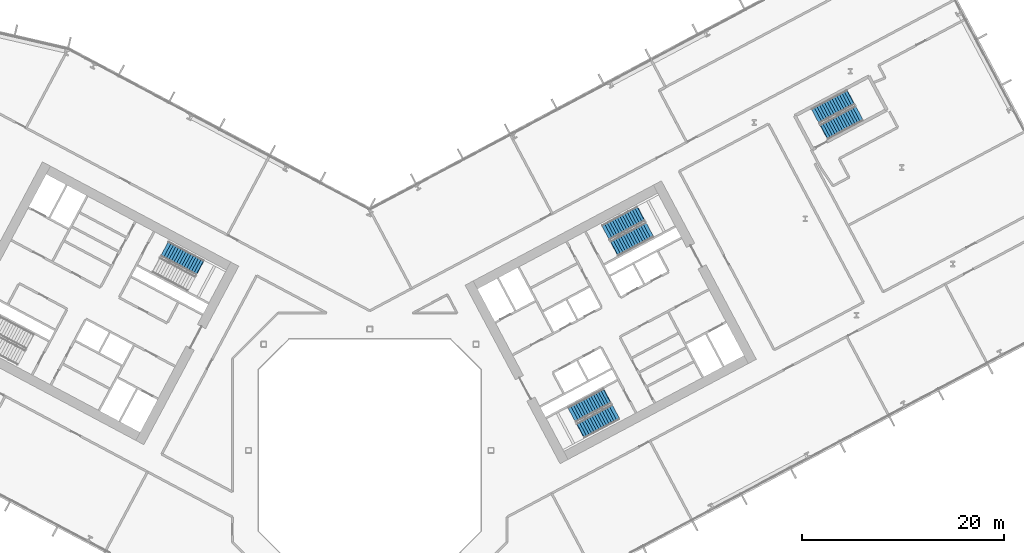
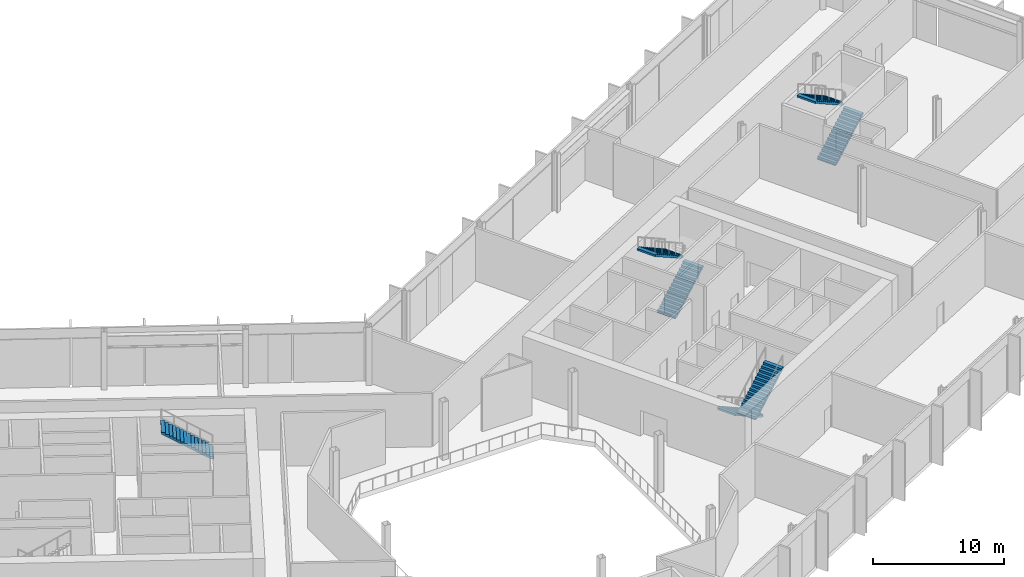
# One storey, part 19 of 32: 7 stair flights, 4 elements without a shape of their own.
"""IFC4 building model written with IfcOpenShell, lengths in metres."""

from ifc_helpers import new_model, si_unit, direction, frame, origin, place, context, subcontext, project, spatial, polyline, outline, extrude, material, type_object, element, aggregate, save


model = new_model("IFC4")

# Units and contexts
model_context = context("Model", 3, precision=1e-05, world=origin(), true_north=direction((0.0, 1.0)))
body_context = subcontext(model_context, "Body", "Model", "MODEL_VIEW")
ifc_project = project(units=[si_unit("LENGTHUNIT", "METRE"), si_unit("AREAUNIT", "SQUARE_METRE"), si_unit("VOLUMEUNIT", "CUBIC_METRE"), si_unit("PLANEANGLEUNIT", "RADIAN"), si_unit("MASSUNIT", "GRAM", prefix="KILO")], contexts=[model_context])

# Site, building, storey
site_placement = place(None, origin())
site = spatial("IfcSite", under=ifc_project, at=site_placement, CompositionType="ELEMENT")
building_placement = place(site_placement, origin())
building = spatial("IfcBuilding", under=site, at=building_placement, Name="Cormorant Relay Tower", CompositionType="ELEMENT")
storey_placement = place(building_placement, frame((0.0, 0.0, 39.199951171875)))
storey = spatial("IfcBuildingStorey", under=building, at=storey_placement, Name="L07", CompositionType="ELEMENT", Elevation=39.199951171875)

# Stair, stair flight
ifc_material_1 = material(Name="Concrete 40 MPa", Category="concrete")
stair_type = type_object("IfcStairType", Name="Exit stair 1500", PredefinedType="HALF_TURN_STAIR", material=ifc_material_1)
stair_1_placement = place(storey_placement, origin())
stair_1 = element("IfcStair", 1, at=stair_1_placement, inside=storey, type_object=stair_type, Name="L07 Stair", PredefinedType="HALF_TURN_STAIR")
ifc_material_2 = material(Name="Concrete 40 MPa", Category="concrete")
stair_flight_type = type_object("IfcStairFlightType", Name="Exit stair flight 1650", PredefinedType="STRAIGHT", material=ifc_material_2)
stair_flight_1_placement = place(storey_placement, frame((-16.80810546875, 18.08251953125, 2.699951171875), z_axis=(0.0, 0.0, 1.0), x_axis=(-0.882947592859, 0.469471562786, 0.0)))
stair_flight_1 = element("IfcStairFlight", 2, at=stair_flight_1_placement, type_object=stair_flight_type, Name="A1 flight 2", NumberOfRisers=15, NumberOfTreads=14, PredefinedType="STRAIGHT", RiserHeight=0.18, TreadLength=0.28, context=body_context, shape_type="SweptSolid", body=[
    extrude(outline(polyline([(-0.050048828125, -0.080078125), (-0.050048828125, 0.0), (0.0, 0.0), (0.0, 0.179931640625), (0.280029296875, 0.179931640625), (0.280029296875, 0.360107421875), (0.56005859375, 0.360107421875), (0.56005859375, 0.5400390625), (0.840087890625, 0.5400390625), (0.840087890625, 0.719970703125), (1.1201171875, 0.719970703125), (1.1201171875, 0.89990234375), (1.39990234375, 0.89990234375), (1.39990234375, 1.080078125), (1.679931640625, 1.080078125), (1.679931640625, 1.260009765625), (1.9599609375, 1.260009765625), (1.9599609375, 1.43994140625), (2.239990234375, 1.43994140625), (2.239990234375, 1.6201171875), (2.52001953125, 1.6201171875), (2.52001953125, 1.800048828125), (2.800048828125, 1.800048828125), (2.800048828125, 1.97998046875), (3.080078125, 1.97998046875), (3.080078125, 2.159912109375), (3.360107421875, 2.159912109375), (3.360107421875, 2.340087890625), (3.639892578125, 2.340087890625), (3.639892578125, 2.52001953125), (3.919921875, 2.52001953125), (3.969970703125, 2.52001953125), (3.969970703125, 2.341796875), (3.919921875, 2.341796875), (0.277099609375, 0.0), (-0.050048828125, -0.080078125)])), frame((0.0, 0.824951171875, 0.0), z_axis=(0.0, -1.0, 0.0), x_axis=(1.0, 0.0, 0.0)), (0.0, 0.0, 1.0), 1.64990234375),
])
aggregate(stair_1, [stair_flight_1])

# Stair, stair flights
stair_2_placement = place(storey_placement, origin())
stair_2 = element("IfcStair", 3, at=stair_2_placement, inside=storey, type_object=stair_type, Name="L07 Stair", PredefinedType="HALF_TURN_STAIR")
stair_flight_2_placement = place(storey_placement, frame((23.474365234375, 5.374755859375, 0.0), z_axis=(0.0, 0.0, 1.0), x_axis=(-0.882947592859, -0.469471562786, 0.0)))
stair_flight_2 = element("IfcStairFlight", 4, at=stair_flight_2_placement, type_object=stair_flight_type, Name="B1 flight 1", NumberOfRisers=15, NumberOfTreads=14, PredefinedType="STRAIGHT", RiserHeight=0.18, TreadLength=0.28, context=body_context, shape_type="SweptSolid", body=[
    extrude(outline(polyline([(-0.050048828125, -0.080078125), (-0.050048828125, 0.0), (0.0, 0.0), (0.0, 0.179931640625), (0.280029296875, 0.179931640625), (0.280029296875, 0.360107421875), (0.56005859375, 0.360107421875), (0.56005859375, 0.5400390625), (0.840087890625, 0.5400390625), (0.840087890625, 0.719970703125), (1.1201171875, 0.719970703125), (1.1201171875, 0.89990234375), (1.39990234375, 0.89990234375), (1.39990234375, 1.080078125), (1.679931640625, 1.080078125), (1.679931640625, 1.260009765625), (1.9599609375, 1.260009765625), (1.9599609375, 1.43994140625), (2.239990234375, 1.43994140625), (2.239990234375, 1.6201171875), (2.52001953125, 1.6201171875), (2.52001953125, 1.800048828125), (2.800048828125, 1.800048828125), (2.800048828125, 1.97998046875), (3.080078125, 1.97998046875), (3.080078125, 2.159912109375), (3.360107421875, 2.159912109375), (3.360107421875, 2.340087890625), (3.639892578125, 2.340087890625), (3.639892578125, 2.52001953125), (3.919921875, 2.52001953125), (3.969970703125, 2.52001953125), (3.969970703125, 2.341796875), (3.919921875, 2.341796875), (0.277099609375, 0.0), (-0.050048828125, -0.080078125)])), frame((0.0, 0.824951171875, 0.0), z_axis=(0.0, -1.0, 0.0), x_axis=(1.0, 0.0, 0.0)), (0.0, 0.0, 1.0), 1.64990234375),
])
stair_flight_3_placement = place(storey_placement, frame((20.8583984375, 1.945068359375, 2.699951171875), z_axis=(0.0, 0.0, 1.0), x_axis=(0.882947592859, 0.469471562786, 0.0)))
stair_flight_3 = element("IfcStairFlight", 5, at=stair_flight_3_placement, type_object=stair_flight_type, Name="B1 flight 2", NumberOfRisers=15, NumberOfTreads=14, PredefinedType="STRAIGHT", RiserHeight=0.18, TreadLength=0.28, context=body_context, shape_type="SweptSolid", body=[
    extrude(outline(polyline([(-0.050048828125, -0.080078125), (-0.050048828125, 0.0), (0.0, 0.0), (0.0, 0.179931640625), (0.280029296875, 0.179931640625), (0.280029296875, 0.360107421875), (0.56005859375, 0.360107421875), (0.56005859375, 0.5400390625), (0.840087890625, 0.5400390625), (0.840087890625, 0.719970703125), (1.1201171875, 0.719970703125), (1.1201171875, 0.89990234375), (1.39990234375, 0.89990234375), (1.39990234375, 1.080078125), (1.679931640625, 1.080078125), (1.679931640625, 1.260009765625), (1.9599609375, 1.260009765625), (1.9599609375, 1.43994140625), (2.239990234375, 1.43994140625), (2.239990234375, 1.6201171875), (2.52001953125, 1.6201171875), (2.52001953125, 1.800048828125), (2.800048828125, 1.800048828125), (2.800048828125, 1.97998046875), (3.080078125, 1.97998046875), (3.080078125, 2.159912109375), (3.360107421875, 2.159912109375), (3.360107421875, 2.340087890625), (3.639892578125, 2.340087890625), (3.639892578125, 2.52001953125), (3.919921875, 2.52001953125), (3.969970703125, 2.52001953125), (3.969970703125, 2.341796875), (3.919921875, 2.341796875), (0.277099609375, 0.0), (-0.050048828125, -0.080078125)])), frame((0.0, 0.824951171875, 0.0), z_axis=(0.0, -1.0, 0.0), x_axis=(1.0, 0.0, 0.0)), (0.0, 0.0, 1.0), 1.64990234375),
])
aggregate(stair_2, [stair_flight_2, stair_flight_3])

stair_3_placement = place(storey_placement, origin())
stair_3 = element("IfcStair", 6, at=stair_3_placement, inside=storey, type_object=stair_type, Name="L07 Stair", PredefinedType="HALF_TURN_STAIR")
stair_flight_4_placement = place(storey_placement, frame((24.20458984375, 19.976806640625, 0.0), z_axis=(0.0, 0.0, 1.0), x_axis=(0.882947592859, 0.469471562786, 0.0)))
stair_flight_4 = element("IfcStairFlight", 7, at=stair_flight_4_placement, type_object=stair_flight_type, Name="B2 flight 1", NumberOfRisers=15, NumberOfTreads=14, PredefinedType="STRAIGHT", RiserHeight=0.18, TreadLength=0.28, context=body_context, shape_type="SweptSolid", body=[
    extrude(outline(polyline([(-0.050048828125, -0.080078125), (-0.050048828125, 0.0), (0.0, 0.0), (0.0, 0.179931640625), (0.280029296875, 0.179931640625), (0.280029296875, 0.360107421875), (0.56005859375, 0.360107421875), (0.56005859375, 0.5400390625), (0.840087890625, 0.5400390625), (0.840087890625, 0.719970703125), (1.1201171875, 0.719970703125), (1.1201171875, 0.89990234375), (1.39990234375, 0.89990234375), (1.39990234375, 1.080078125), (1.679931640625, 1.080078125), (1.679931640625, 1.260009765625), (1.9599609375, 1.260009765625), (1.9599609375, 1.43994140625), (2.239990234375, 1.43994140625), (2.239990234375, 1.6201171875), (2.52001953125, 1.6201171875), (2.52001953125, 1.800048828125), (2.800048828125, 1.800048828125), (2.800048828125, 1.97998046875), (3.080078125, 1.97998046875), (3.080078125, 2.159912109375), (3.360107421875, 2.159912109375), (3.360107421875, 2.340087890625), (3.639892578125, 2.340087890625), (3.639892578125, 2.52001953125), (3.919921875, 2.52001953125), (3.969970703125, 2.52001953125), (3.969970703125, 2.341796875), (3.919921875, 2.341796875), (0.277099609375, 0.0), (-0.050048828125, -0.080078125)])), frame((0.0, 0.824951171875, 0.0), z_axis=(0.0, -1.0, 0.0), x_axis=(1.0, 0.0, 0.0)), (0.0, 0.0, 1.0), 1.64990234375),
])
stair_flight_5_placement = place(storey_placement, frame((26.82080078125, 23.406494140625, 2.699951171875), z_axis=(0.0, 0.0, 1.0), x_axis=(-0.882947592859, -0.469471562786, 0.0)))
stair_flight_5 = element("IfcStairFlight", 8, at=stair_flight_5_placement, type_object=stair_flight_type, Name="B2 flight 2", NumberOfRisers=15, NumberOfTreads=14, PredefinedType="STRAIGHT", RiserHeight=0.18, TreadLength=0.28, context=body_context, shape_type="SweptSolid", body=[
    extrude(outline(polyline([(-0.050048828125, -0.080078125), (-0.050048828125, 0.0), (0.0, 0.0), (0.0, 0.179931640625), (0.280029296875, 0.179931640625), (0.280029296875, 0.360107421875), (0.56005859375, 0.360107421875), (0.56005859375, 0.5400390625), (0.840087890625, 0.5400390625), (0.840087890625, 0.719970703125), (1.1201171875, 0.719970703125), (1.1201171875, 0.89990234375), (1.39990234375, 0.89990234375), (1.39990234375, 1.080078125), (1.679931640625, 1.080078125), (1.679931640625, 1.260009765625), (1.9599609375, 1.260009765625), (1.9599609375, 1.43994140625), (2.239990234375, 1.43994140625), (2.239990234375, 1.6201171875), (2.52001953125, 1.6201171875), (2.52001953125, 1.800048828125), (2.800048828125, 1.800048828125), (2.800048828125, 1.97998046875), (3.080078125, 1.97998046875), (3.080078125, 2.159912109375), (3.360107421875, 2.159912109375), (3.360107421875, 2.340087890625), (3.639892578125, 2.340087890625), (3.639892578125, 2.52001953125), (3.919921875, 2.52001953125), (3.969970703125, 2.52001953125), (3.969970703125, 2.341796875), (3.919921875, 2.341796875), (0.277099609375, 0.0), (-0.050048828125, -0.080078125)])), frame((0.0, 0.824951171875, 0.0), z_axis=(0.0, -1.0, 0.0), x_axis=(1.0, 0.0, 0.0)), (0.0, 0.0, 1.0), 1.64990234375),
])
aggregate(stair_3, [stair_flight_4, stair_flight_5])

stair_4_placement = place(storey_placement, origin())
stair_4 = element("IfcStair", 9, at=stair_4_placement, inside=storey, type_object=stair_type, Name="L07 Stair", PredefinedType="HALF_TURN_STAIR")
stair_flight_6_placement = place(storey_placement, frame((44.947509765625, 31.502197265625, 0.0), z_axis=(0.0, 0.0, 1.0), x_axis=(0.882947502727, 0.4694717323, 0.0)))
stair_flight_6 = element("IfcStairFlight", 10, at=stair_flight_6_placement, type_object=stair_flight_type, Name="RB1 flight 1", NumberOfRisers=15, NumberOfTreads=14, PredefinedType="STRAIGHT", RiserHeight=0.18, TreadLength=0.28, context=body_context, shape_type="SweptSolid", body=[
    extrude(outline(polyline([(-0.050048828125, -0.080078125), (-0.050048828125, 0.0), (0.0, 0.0), (0.0, 0.179931640625), (0.280029296875, 0.179931640625), (0.280029296875, 0.360107421875), (0.56005859375, 0.360107421875), (0.56005859375, 0.5400390625), (0.840087890625, 0.5400390625), (0.840087890625, 0.719970703125), (1.1201171875, 0.719970703125), (1.1201171875, 0.89990234375), (1.39990234375, 0.89990234375), (1.39990234375, 1.080078125), (1.679931640625, 1.080078125), (1.679931640625, 1.260009765625), (1.9599609375, 1.260009765625), (1.9599609375, 1.43994140625), (2.239990234375, 1.43994140625), (2.239990234375, 1.6201171875), (2.52001953125, 1.6201171875), (2.52001953125, 1.800048828125), (2.800048828125, 1.800048828125), (2.800048828125, 1.97998046875), (3.080078125, 1.97998046875), (3.080078125, 2.159912109375), (3.360107421875, 2.159912109375), (3.360107421875, 2.340087890625), (3.639892578125, 2.340087890625), (3.639892578125, 2.52001953125), (3.919921875, 2.52001953125), (3.969970703125, 2.52001953125), (3.969970703125, 2.341796875), (3.919921875, 2.341796875), (0.277099609375, 0.0), (-0.050048828125, -0.080078125)])), frame((0.0, 0.824951171875, 0.0), z_axis=(0.0, -1.0, 0.0), x_axis=(1.0, 0.0, 0.0)), (0.0, 0.0, 1.0), 1.64990234375),
])
stair_flight_7_placement = place(storey_placement, frame((47.563720703125, 34.931640625, 2.699951171875), z_axis=(0.0, 0.0, 1.0), x_axis=(-0.882947502727, -0.4694717323, 0.0)))
stair_flight_7 = element("IfcStairFlight", 11, at=stair_flight_7_placement, type_object=stair_flight_type, Name="RB1 flight 2", NumberOfRisers=15, NumberOfTreads=14, PredefinedType="STRAIGHT", RiserHeight=0.18, TreadLength=0.28, context=body_context, shape_type="SweptSolid", body=[
    extrude(outline(polyline([(-0.050048828125, -0.080078125), (-0.050048828125, 0.0), (0.0, 0.0), (0.0, 0.179931640625), (0.280029296875, 0.179931640625), (0.280029296875, 0.360107421875), (0.56005859375, 0.360107421875), (0.56005859375, 0.5400390625), (0.840087890625, 0.5400390625), (0.840087890625, 0.719970703125), (1.1201171875, 0.719970703125), (1.1201171875, 0.89990234375), (1.39990234375, 0.89990234375), (1.39990234375, 1.080078125), (1.679931640625, 1.080078125), (1.679931640625, 1.260009765625), (1.9599609375, 1.260009765625), (1.9599609375, 1.43994140625), (2.239990234375, 1.43994140625), (2.239990234375, 1.6201171875), (2.52001953125, 1.6201171875), (2.52001953125, 1.800048828125), (2.800048828125, 1.800048828125), (2.800048828125, 1.97998046875), (3.080078125, 1.97998046875), (3.080078125, 2.159912109375), (3.360107421875, 2.159912109375), (3.360107421875, 2.340087890625), (3.639892578125, 2.340087890625), (3.639892578125, 2.52001953125), (3.919921875, 2.52001953125), (3.969970703125, 2.52001953125), (3.969970703125, 2.341796875), (3.919921875, 2.341796875), (0.277099609375, 0.0), (-0.050048828125, -0.080078125)])), frame((0.0, 0.824951171875, 0.0), z_axis=(0.0, -1.0, 0.0), x_axis=(1.0, 0.0, 0.0)), (0.0, 0.0, 1.0), 1.64990234375),
])
aggregate(stair_4, [stair_flight_6, stair_flight_7])

save(model, "model.ifc")
